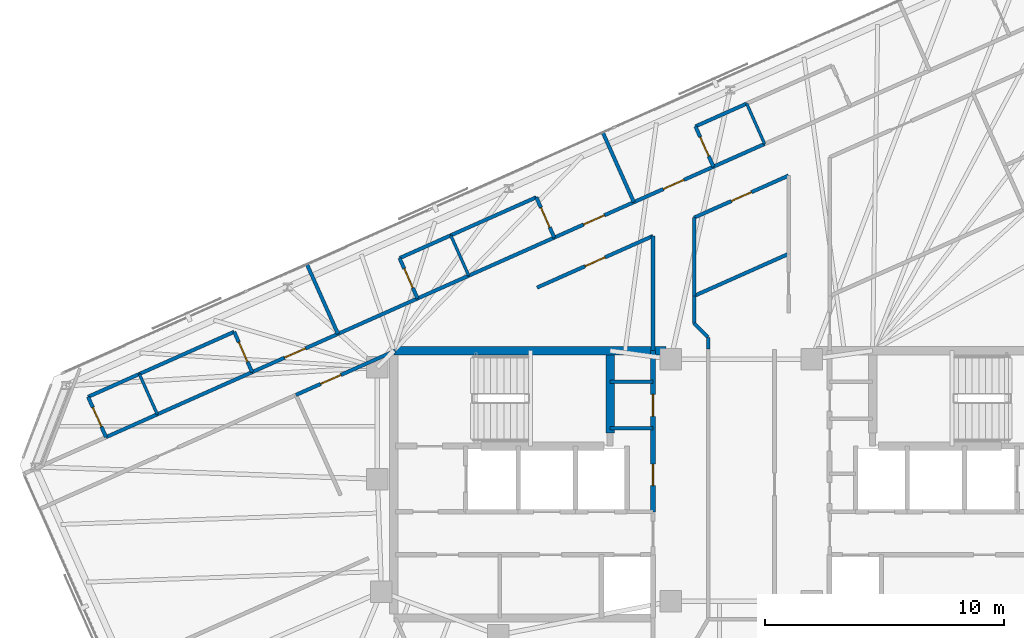
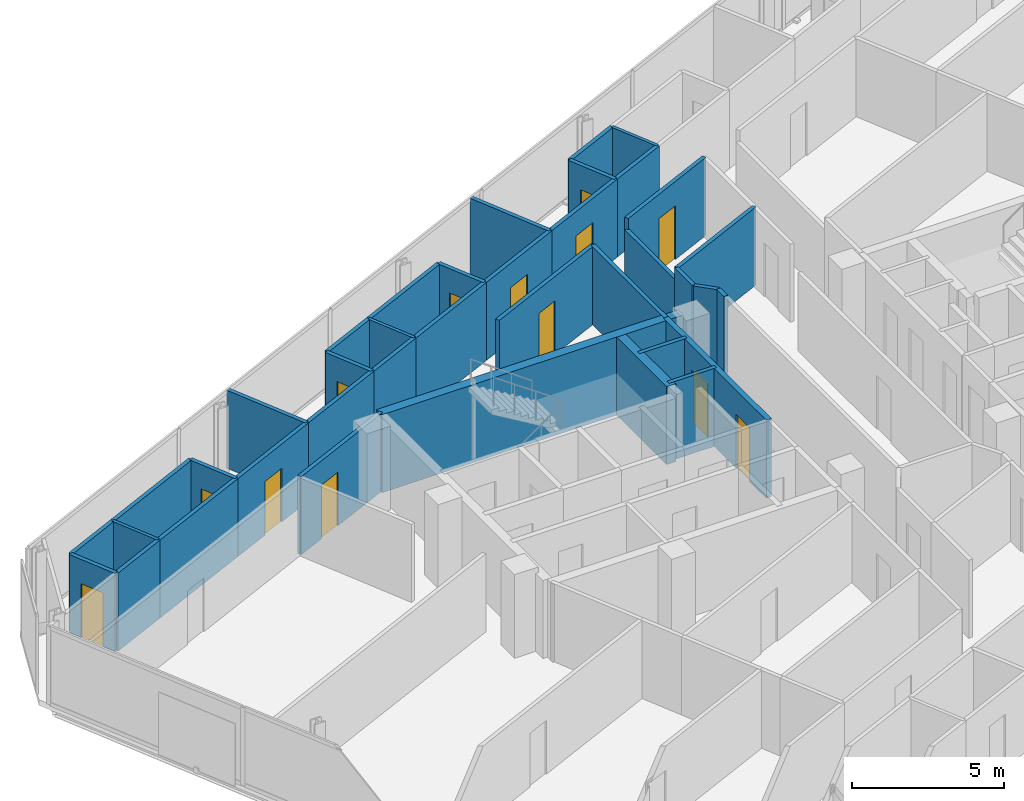
# One storey, part 16 of 19: 38 walls, 13 doors, 13 openings.
"""IFC4 building model written with IfcOpenShell, lengths in metres."""

import ifcopenshell
import ifcopenshell.guid

model = None  # the IFC model being written
_history = None  # IfcOwnerHistory: only IFC2X3 demands one
_inside = {}  # id of a spatial element -> (the spatial element, [elements in it])
_under = {}  # id of a project, library or spatial element -> (it, [spatial elements below it])
_declared = {}  # id of a project -> (the project, [libraries it declares])
_typed = {}  # id of a type object -> (the type object, [elements of that type])
_made_of = {}  # id of a material, layer set ... -> (it, [elements and type objects made of it])


def new_model(schema):
    """Start an empty IFC model of exactly this schema.

    Asked for "IFC4X3", IfcOpenShell would pick the latest addendum, in which some entities
    have other attributes; the version numbers below select the first issue.
    IFC2X3 requires an IfcOwnerHistory on every rooted entity: one is made here for all.
    """
    global model, _history
    if schema == "IFC4X3":
        model = ifcopenshell.file(schema_version=(4, 3, 0, 0))
    else:
        model = ifcopenshell.file(schema=schema)
    _inside.clear()
    _under.clear()
    _declared.clear()
    _typed.clear()
    _made_of.clear()
    _history = None
    if model.schema == "IFC2X3":
        org = make("IfcOrganization", Name="unknown")
        user = make(
            "IfcPersonAndOrganization",
            ThePerson=make("IfcPerson", FamilyName="unknown"),
            TheOrganization=org,
        )
        app = make(
            "IfcApplication",
            ApplicationDeveloper=org,
            Version="unknown",
            ApplicationFullName="unknown",
            ApplicationIdentifier="unknown",
        )
        _history = make(
            "IfcOwnerHistory",
            OwningUser=user,
            OwningApplication=app,
            ChangeAction="ADDED",
            CreationDate=0,
        )
    return model


def make(cls, **values):
    """One entity of the class cls with the attributes given. An attribute that is None is left unset."""
    return model.create_entity(
        cls, **{name: value for name, value in values.items() if value is not None}
    )


def rooted(cls, **values):
    """An entity with a GlobalId (a new one), such as an element, a storey or a relation."""
    return make(cls, GlobalId=ifcopenshell.guid.new(), OwnerHistory=_history, **values)


def si_unit(unit_type, name, prefix=None):
    """IfcSIUnit, for example si_unit("LENGTHUNIT", "METRE", prefix="MILLI")."""
    return make("IfcSIUnit", UnitType=unit_type, Prefix=prefix, Name=name)


def assignment(units):
    """IfcUnitAssignment: the units of a project."""
    return None if units is None else make("IfcUnitAssignment", Units=units)


def point(xyz):
    """IfcCartesianPoint."""
    return None if xyz is None else make("IfcCartesianPoint", Coordinates=xyz)


def direction(xyz):
    """IfcDirection."""
    return None if xyz is None else make("IfcDirection", DirectionRatios=xyz)


def frame(location, z_axis=None, x_axis=None):
    """IfcAxis2Placement3D, a coordinate frame: its origin and axes. An axis left out is left unset."""
    return make(
        "IfcAxis2Placement3D",
        Location=point(location),
        Axis=direction(z_axis),
        RefDirection=direction(x_axis),
    )


def frame_2d(location, x_axis=None):
    """IfcAxis2Placement2D, a coordinate frame in the plane: its origin and x axis."""
    return make(
        "IfcAxis2Placement2D", Location=point(location), RefDirection=direction(x_axis)
    )


def origin():
    """The frame at (0, 0, 0) with its axes left unset."""
    return frame((0.0, 0.0, 0.0))


def place(relative_to, where):
    """IfcLocalPlacement: puts the frame where relative to a parent placement (None: the world)."""
    return make(
        "IfcLocalPlacement", PlacementRelTo=relative_to, RelativePlacement=where
    )


def context(
    kind, dimensions, precision=None, world=None, true_north=None, identifier=None
):
    """IfcGeometricRepresentationContext, for example the 3D "Model" context."""
    return make(
        "IfcGeometricRepresentationContext",
        ContextIdentifier=identifier,
        ContextType=kind,
        CoordinateSpaceDimension=dimensions,
        Precision=precision,
        WorldCoordinateSystem=world,
        TrueNorth=true_north,
    )


def subcontext(parent, identifier, kind, view, scale=None):
    """IfcGeometricRepresentationSubContext, for example "Body" below "Model"."""
    return make(
        "IfcGeometricRepresentationSubContext",
        ContextIdentifier=identifier,
        ContextType=kind,
        ParentContext=parent,
        TargetScale=scale,
        TargetView=view,
    )


def project(units=None, contexts=None):
    """IfcProject with its units and contexts."""
    return rooted(
        "IfcProject",
        Name="project",
        RepresentationContexts=contexts,
        UnitsInContext=assignment(units),
    )


def spatial(cls, under=None, at=None, **own):
    """A site, building, storey or space (cls), placed at a placement, below another one or the project."""
    s = rooted(cls, ObjectPlacement=at, **own)
    if under is not None:
        _under.setdefault(under.id(), (under, []))[1].append(s)
    return s


def profile(cls, at=None, kind="AREA", **sizes):
    """A parametric profile (cls). Its sizes go by their IFC names, for example OverallWidth=200.0."""
    return make(cls, ProfileType=kind, Position=at, **sizes)


def rectangle(**sizes):
    """IfcRectangleProfileDef."""
    return profile("IfcRectangleProfileDef", **sizes)


def extrude(swept, where, along, depth):
    """IfcExtrudedAreaSolid: the profile swept, set in the frame where, extruded along a direction by depth."""
    return make(
        "IfcExtrudedAreaSolid",
        SweptArea=swept,
        Position=where,
        ExtrudedDirection=direction(along),
        Depth=depth,
    )


def shape(context_of_items, identifier, shape_type, items):
    """IfcShapeRepresentation: the items that make up one representation, for example the "Body"."""
    return make(
        "IfcShapeRepresentation",
        ContextOfItems=context_of_items,
        RepresentationIdentifier=identifier,
        RepresentationType=shape_type,
        Items=items,
    )


def material(Name=None, Category=None):
    """IfcMaterial."""
    return make("IfcMaterial", Name=Name, Category=Category)


def layer(
    of_material, thickness, ventilated=None, Name=None, Category=None, Priority=None
):
    """IfcMaterialLayer: one layer of a wall or slab, of a material (None: an air gap)."""
    return make(
        "IfcMaterialLayer",
        Material=of_material,
        LayerThickness=thickness,
        IsVentilated=ventilated,
        Name=Name,
        Category=Category,
        Priority=Priority,
    )


def layer_set(layers, Name=None):
    """IfcMaterialLayerSet."""
    return make("IfcMaterialLayerSet", MaterialLayers=layers, LayerSetName=Name)


def made_of(thing, what):
    """Note that an element or type object is made of a material, layer set ...; save() writes the relation."""
    if what is not None:
        _made_of.setdefault(what.id(), (what, []))[1].append(thing)
    return thing


def type_object(cls, material=None, **own):
    """A type object (cls), such as IfcWallType, which elements share."""
    return made_of(rooted(cls, **own), material)


def element(
    cls,
    number,
    at=None,
    inside=None,
    cuts=None,
    type_object=None,
    material=None,
    context=None,
    identifier="Body",
    shape_type=None,
    held_by="IfcProductDefinitionShape",
    body=None,
    shapes=None,
    **own,
):
    """One element of the class cls, such as IfcWall. Its Tag is "e" and its number.

    at: its placement. inside: the storey or other place that contains it. cuts: it is an
    opening in that element (IfcRelVoidsElement). A single representation is given by context,
    identifier, shape_type and body (its items); several are given by shapes. held_by: the class
    of the entity that holds the representations. save() writes the other relations.
    """
    e = rooted(cls, Tag="e%d" % number, ObjectPlacement=at, **own)
    if body is not None:
        shapes = [shape(context, identifier, shape_type, body)]
    if shapes is not None:
        e.Representation = make(held_by, Representations=shapes)
    if inside is not None:
        _inside.setdefault(inside.id(), (inside, []))[1].append(e)
    if cuts is not None:
        rooted(
            "IfcRelVoidsElement", RelatingBuildingElement=cuts, RelatedOpeningElement=e
        )
    if type_object is not None:
        _typed.setdefault(type_object.id(), (type_object, []))[1].append(e)
    return made_of(e, material)


def fill(opening, filler):
    """IfcRelFillsElement: the door or window that sits in an opening."""
    return rooted(
        "IfcRelFillsElement",
        RelatingOpeningElement=opening,
        RelatedBuildingElement=filler,
    )


def aggregate(whole, parts):
    """IfcRelAggregates: a whole, such as a stair, and the parts it consists of."""
    return rooted("IfcRelAggregates", RelatingObject=whole, RelatedObjects=parts)


def save(model, path):
    """Write the relations noted so far, then the file.

    IfcRelAggregates (storeys below a building ...), IfcRelContainedInSpatialStructure (elements
    in a storey), IfcRelDefinesByType, IfcRelAssociatesMaterial and IfcRelDeclares: one each for
    every whole, place, type object, material and project.
    """
    for whole, parts in _under.values():
        aggregate(whole, parts)
    for where, things in _inside.values():
        rooted(
            "IfcRelContainedInSpatialStructure",
            RelatedElements=things,
            RelatingStructure=where,
        )
    for kind, things in _typed.values():
        rooted("IfcRelDefinesByType", RelatedObjects=things, RelatingType=kind)
    for what, things in _made_of.values():
        rooted("IfcRelAssociatesMaterial", RelatedObjects=things, RelatingMaterial=what)
    for by, libraries in _declared.values():
        rooted("IfcRelDeclares", RelatingContext=by, RelatedDefinitions=libraries)
    model.write(path)


model = new_model("IFC4")

# Units and contexts
model_context = context("Model", 3, precision=1e-05, world=origin(), true_north=direction((0.0, 1.0)))
body_context = subcontext(model_context, "Body", "Model", "MODEL_VIEW")
ifc_project = project(units=[si_unit("LENGTHUNIT", "METRE"), si_unit("AREAUNIT", "SQUARE_METRE"), si_unit("VOLUMEUNIT", "CUBIC_METRE"), si_unit("PLANEANGLEUNIT", "RADIAN"), si_unit("MASSUNIT", "GRAM", prefix="KILO")], contexts=[model_context])

# Site, building, storey
site_placement = place(None, origin())
site = spatial("IfcSite", under=ifc_project, at=site_placement, CompositionType="ELEMENT")
building_placement = place(site_placement, origin())
building = spatial("IfcBuilding", under=site, at=building_placement, Name="Menara Jurai Vektor", CompositionType="ELEMENT")
storey_placement = place(building_placement, frame((0.0, 0.0, 265.550048828125)))
storey = spatial("IfcBuildingStorey", under=building, at=storey_placement, Name="L71", CompositionType="ELEMENT", Elevation=265.550048828125)

# Walls
ifc_material_1 = material(Name="Gypsum Fireboard Partition", Category="gypsum")
ifc_layer_1 = layer(ifc_material_1, 0.14990234375)
ifc_layer_set_1 = layer_set([ifc_layer_1], Name="Gypsum Fireboard Partition")
wall_type_1 = type_object("IfcWallType", Name="INT-WALL-CORR-150", PredefinedType="PARTITIONING", material=ifc_layer_set_1)
for number, where, z_axis, x_axis, name in (
    (1, (-5.5, 4.300048828125, 0.0), (0.0, 0.0, 1.0), (1.0, 0.0, 0.0), "Interior Wall IW-150 L71"),
    (2, (-5.5, 2.35009765625, 0.0), (0.0, 0.0, 1.0), (1.0, 0.0, 0.0), "Interior Wall IW-150 L71"),
):
    element("IfcWall", number, at=place(storey_placement, frame(where, z_axis=z_axis, x_axis=x_axis)), inside=storey, type_object=wall_type_1, Name=name, PredefinedType="PARTITIONING", context=body_context, shape_type="SweptSolid", body=[
        extrude(rectangle(XDim=1.800048828125, YDim=0.14990234375, at=frame_2d((0.89990234375, 0.0))), origin(), (0.0, 0.0, 1.0), 3.125),
    ])

# Wall, opening, door
wall_1_placement = place(storey_placement, frame((-20.49853515625, 4.702392578125, 0.0), z_axis=(0.0, 0.0, 1.0), x_axis=(0.913553019012, 0.406719659537, 0.0)))
wall_1 = element("IfcWall", 3, at=wall_1_placement, inside=storey, type_object=wall_type_1, Name="Interior Wall IW-150 L71", PredefinedType="PARTITIONING", context=body_context, shape_type="SweptSolid", body=[
    extrude(rectangle(XDim=3.93603515625, YDim=0.14990234375, at=frame_2d((1.968017578125, 0.0))), origin(), (0.0, 0.0, 1.0), 3.125),
])
opening_1_placement = place(wall_1_placement, frame((1.492919921875, 0.0, 0.0)))
opening_1 = element("IfcOpeningElement", 4, at=opening_1_placement, cuts=wall_1, Name="Opening D71-10", PredefinedType="OPENING", context=body_context, shape_type="SweptSolid", body=[
    extrude(rectangle(XDim=0.949951171875, YDim=2.14990234375, at=frame_2d((0.47509765625, 1.074951171875))), frame((0.0, 0.0849609375, 0.0), z_axis=(0.0, -1.0, 0.0), x_axis=(1.0, 0.0, 0.0)), (0.0, 0.0, 1.0), 0.169921875),
])
ifc_material_2 = material(Name="Solid Core Timber Fire Door", Category="wood")
door_type_1 = type_object("IfcDoorType", Name="DR-ENTRY-950", OperationType="NOTDEFINED", PredefinedType="DOOR", material=ifc_material_2)
door_1_placement = place(opening_1_placement, origin())
door_1 = element("IfcDoor", 5, at=door_1_placement, inside=storey, type_object=door_type_1, Name="Interior Door D71-10", OperationType="SINGLE_SWING_RIGHT", OverallHeight=2.14990234375, OverallWidth=0.949951171875, PredefinedType="DOOR", context=body_context, shape_type="SweptSolid", body=[
    extrude(rectangle(XDim=0.949951171875, YDim=2.14990234375, at=frame_2d((0.47509765625, 1.074951171875))), frame((0.0, 0.02490234375, 0.0), z_axis=(0.0, -1.0, 0.0), x_axis=(1.0, 0.0, 0.0)), (0.0, 0.0, 1.0), 0.050048828125),
])
fill(opening_1, door_1)

# Walls
wall_2_placement = place(storey_placement, frame((-26.619140625, 1.977294921875, 0.0), z_axis=(0.0, 0.0, 1.0), x_axis=(0.913541436194, 0.406745675276, 0.0)))
element("IfcWall", 6, at=wall_2_placement, inside=storey, type_object=wall_type_1, Name="Interior Wall IW-150 L71", PredefinedType="PARTITIONING", context=body_context, shape_type="SweptSolid", body=[
    extrude(rectangle(XDim=2.349853515625, YDim=0.14990234375, at=frame_2d((1.1748046875, 0.0))), origin(), (0.0, 0.0, 1.0), 3.125),
])
wall_3_placement = place(storey_placement, frame((-24.472412109375, 2.93310546875, 0.0), z_axis=(0.0, 0.0, 1.0), x_axis=(0.913545193015, 0.406737237438, 0.0)))
element("IfcWall", 7, at=wall_3_placement, inside=storey, type_object=wall_type_1, Name="Interior Wall IW-150 L71", PredefinedType="PARTITIONING", context=body_context, shape_type="SweptSolid", body=[
    extrude(rectangle(XDim=4.349853515625, YDim=0.14990234375, at=frame_2d((2.1748046875, 0.0))), origin(), (0.0, 0.0, 1.0), 3.125),
])
wall_4_placement = place(storey_placement, frame((-16.90283203125, 6.30322265625, 0.0), z_axis=(0.0, 0.0, 1.0), x_axis=(0.913543802, 0.40674036169, 0.0)))
element("IfcWall", 8, at=wall_4_placement, inside=storey, type_object=wall_type_1, Name="Interior Wall IW-150 L71", PredefinedType="PARTITIONING", context=body_context, shape_type="SweptSolid", body=[
    extrude(rectangle(XDim=3.650146484375, YDim=0.14990234375, at=frame_2d((1.8251953125, 0.0))), origin(), (0.0, 0.0, 1.0), 3.125),
])

# Wall, opening, door
wall_5_placement = place(storey_placement, frame((-7.838623046875, 10.3388671875, 0.0), z_axis=(0.0, 0.0, 1.0), x_axis=(0.913543802, 0.40674036169, 0.0)))
wall_5 = element("IfcWall", 9, at=wall_5_placement, inside=storey, type_object=wall_type_1, Name="Interior Wall IW-150 L71", PredefinedType="PARTITIONING", context=body_context, shape_type="SweptSolid", body=[
    extrude(rectangle(XDim=3.650146484375, YDim=0.14990234375, at=frame_2d((1.8251953125, 0.0))), origin(), (0.0, 0.0, 1.0), 3.125),
])
opening_2_placement = place(wall_5_placement, frame((1.35009765625, 0.0, 0.0)))
opening_2 = element("IfcOpeningElement", 10, at=opening_2_placement, cuts=wall_5, Name="Opening D71-13", PredefinedType="OPENING", context=body_context, shape_type="SweptSolid", body=[
    extrude(rectangle(XDim=0.949951171875, YDim=2.14990234375, at=frame_2d((0.47509765625, 1.074951171875))), frame((0.0, 0.0849609375, 0.0), z_axis=(0.0, -1.0, 0.0), x_axis=(1.0, 0.0, 0.0)), (0.0, 0.0, 1.0), 0.169921875),
])
door_2_placement = place(opening_2_placement, origin())
door_2 = element("IfcDoor", 11, at=door_2_placement, inside=storey, type_object=door_type_1, Name="Interior Door D71-13", OperationType="SINGLE_SWING_LEFT", OverallHeight=2.14990234375, OverallWidth=0.949951171875, PredefinedType="DOOR", context=body_context, shape_type="SweptSolid", body=[
    extrude(rectangle(XDim=0.949951171875, YDim=2.14990234375, at=frame_2d((0.47509765625, 1.074951171875))), frame((0.0, 0.02490234375, 0.0), z_axis=(0.0, -1.0, 0.0), x_axis=(1.0, 0.0, 0.0)), (0.0, 0.0, 1.0), 0.050048828125),
])
fill(opening_2, door_2)

# Walls
wall_6_placement = place(storey_placement, frame((-13.568359375, 7.787841796875, 0.0), z_axis=(0.0, 0.0, 1.0), x_axis=(0.913558622212, 0.406707073682, 0.0)))
element("IfcWall", 12, at=wall_6_placement, inside=storey, type_object=wall_type_1, Name="Interior Wall IW-150 L71", PredefinedType="PARTITIONING", context=body_context, shape_type="SweptSolid", body=[
    extrude(rectangle(XDim=2.35009765625, YDim=0.14990234375, at=frame_2d((1.175048828125, 0.0))), origin(), (0.0, 0.0, 1.0), 3.125),
])
wall_7_placement = place(storey_placement, frame((-11.42138671875, 8.74365234375, 0.0), z_axis=(0.0, 0.0, 1.0), x_axis=(0.913539234326, 0.406750620585, 0.0)))
element("IfcWall", 13, at=wall_7_placement, inside=storey, type_object=wall_type_1, Name="Interior Wall IW-150 L71", PredefinedType="PARTITIONING", context=body_context, shape_type="SweptSolid", body=[
    extrude(rectangle(XDim=3.921875, YDim=0.14990234375, at=frame_2d((1.9609375, 0.0))), origin(), (0.0, 0.0, 1.0), 3.125),
])

# Wall, opening, door
wall_8_placement = place(storey_placement, frame((-4.504150390625, 11.823486328125, 0.0), z_axis=(0.0, 0.0, 1.0), x_axis=(0.913543802, 0.40674036169, 0.0)))
wall_8 = element("IfcWall", 14, at=wall_8_placement, inside=storey, type_object=wall_type_1, Name="Interior Wall IW-150 L71", PredefinedType="PARTITIONING", context=body_context, shape_type="SweptSolid", body=[
    extrude(rectangle(XDim=3.650146484375, YDim=0.14990234375, at=frame_2d((1.8251953125, 0.0))), origin(), (0.0, 0.0, 1.0), 3.125),
])
opening_3_placement = place(wall_8_placement, frame((1.35009765625, 0.0, 0.0)))
opening_3 = element("IfcOpeningElement", 15, at=opening_3_placement, cuts=wall_8, Name="Opening D71-16", PredefinedType="OPENING", context=body_context, shape_type="SweptSolid", body=[
    extrude(rectangle(XDim=0.949951171875, YDim=2.14990234375, at=frame_2d((0.47509765625, 1.074951171875))), frame((0.0, 0.0849609375, 0.0), z_axis=(0.0, -1.0, 0.0), x_axis=(1.0, 0.0, 0.0)), (0.0, 0.0, 1.0), 0.169921875),
])
door_3_placement = place(opening_3_placement, origin())
door_3 = element("IfcDoor", 16, at=door_3_placement, inside=storey, type_object=door_type_1, Name="Interior Door D71-16", OperationType="SINGLE_SWING_RIGHT", OverallHeight=2.14990234375, OverallWidth=0.949951171875, PredefinedType="DOOR", context=body_context, shape_type="SweptSolid", body=[
    extrude(rectangle(XDim=0.949951171875, YDim=2.14990234375, at=frame_2d((0.47509765625, 1.074951171875))), frame((0.0, 0.02490234375, 0.0), z_axis=(0.0, -1.0, 0.0), x_axis=(1.0, 0.0, 0.0)), (0.0, 0.0, 1.0), 0.050048828125),
])
fill(opening_3, door_3)

# Wall
wall_9_placement = place(storey_placement, frame((-1.169677734375, 13.30810546875, 0.0), z_axis=(0.0, 0.0, 1.0), x_axis=(0.913541436194, 0.406745675276, 0.0)))
element("IfcWall", 17, at=wall_9_placement, inside=storey, type_object=wall_type_1, Name="Interior Wall IW-150 L71", PredefinedType="PARTITIONING", context=body_context, shape_type="SweptSolid", body=[
    extrude(rectangle(XDim=2.349853515625, YDim=0.14990234375, at=frame_2d((1.1748046875, 0.0))), origin(), (0.0, 0.0, 1.0), 3.125),
])

# Wall, opening, door
wall_10_placement = place(storey_placement, frame((-18.6611328125, 3.7470703125, 0.0), z_axis=(0.0, 0.0, 1.0), x_axis=(0.913535055583, 0.40676000568, 0.0)))
wall_10 = element("IfcWall", 18, at=wall_10_placement, inside=storey, type_object=wall_type_1, Name="Interior Wall IW-150 L71", PredefinedType="PARTITIONING", context=body_context, shape_type="SweptSolid", body=[
    extrude(rectangle(XDim=4.554931640625, YDim=0.14990234375, at=frame_2d((2.27734375, 0.0))), origin(), (0.0, 0.0, 1.0), 3.125),
])
opening_4_placement = place(wall_10_placement, frame((1.13427734375, 0.0, 0.0)))
opening_4 = element("IfcOpeningElement", 19, at=opening_4_placement, cuts=wall_10, Name="Opening D71-46", PredefinedType="OPENING", context=body_context, shape_type="SweptSolid", body=[
    extrude(rectangle(XDim=0.919921875, YDim=2.14990234375, at=frame_2d((0.4599609375, 1.074951171875))), frame((0.0, 0.0849609375, 0.0), z_axis=(0.0, -1.0, 0.0), x_axis=(1.0, 0.0, 0.0)), (0.0, 0.0, 1.0), 0.169921875),
])
door_4_placement = place(opening_4_placement, origin())
door_4 = element("IfcDoor", 20, at=door_4_placement, inside=storey, type_object=door_type_1, Name="Interior Door D71-46", OperationType="SINGLE_SWING_RIGHT", OverallHeight=2.14990234375, OverallWidth=0.919921875, PredefinedType="DOOR", context=body_context, shape_type="SweptSolid", body=[
    extrude(rectangle(XDim=0.919921875, YDim=2.14990234375, at=frame_2d((0.4599609375, 1.074951171875))), frame((0.0, 0.02490234375, 0.0), z_axis=(0.0, -1.0, 0.0), x_axis=(1.0, 0.0, 0.0)), (0.0, 0.0, 1.0), 0.050048828125),
])
fill(opening_4, door_4)

# Walls
wall_11_placement = place(storey_placement, frame((-1.979736328125, 6.74853515625, 0.0), z_axis=(0.0, 0.0, 1.0), x_axis=(0.706520457458, -0.707692619146, 0.0)))
element("IfcWall", 21, at=wall_11_placement, inside=storey, type_object=wall_type_1, Name="Interior Wall IW-150 L71", PredefinedType="PARTITIONING", context=body_context, shape_type="SweptSolid", body=[
    extrude(rectangle(XDim=0.8330078125, YDim=0.14990234375, at=frame_2d((0.41650390625, 0.0))), origin(), (0.0, 0.0, 1.0), 3.125),
])
wall_12_placement = place(storey_placement, frame((-1.979736328125, 6.74853515625, 0.0), z_axis=(0.0, 0.0, 1.0), x_axis=(0.0, 1.0, 0.0)))
element("IfcWall", 22, at=wall_12_placement, inside=storey, type_object=wall_type_1, Name="Interior Wall IW-150 L71", PredefinedType="PARTITIONING", context=body_context, shape_type="SweptSolid", body=[
    extrude(rectangle(XDim=1.14599609375, YDim=0.14990234375, at=frame_2d((0.572998046875, 0.0))), origin(), (0.0, 0.0, 1.0), 3.125),
])
wall_13_placement = place(storey_placement, frame((-1.39111328125, 5.6796875, 0.0), z_axis=(0.0, 0.0, 1.0), x_axis=(0.0, 1.0, 0.0)))
element("IfcWall", 23, at=wall_13_placement, inside=storey, type_object=wall_type_1, Name="Interior Wall IW-150 L71", PredefinedType="PARTITIONING", context=body_context, shape_type="SweptSolid", body=[
    extrude(rectangle(XDim=0.479248046875, YDim=0.14990234375, at=frame_2d((0.23974609375, 0.0))), origin(), (0.0, 0.0, 1.0), 3.125),
])

# Wall, opening, door
wall_14_placement = place(storey_placement, frame((-1.979736328125, 11.174072265625, 0.0), z_axis=(0.0, 0.0, 1.0), x_axis=(0.913546598225, 0.406734081276, 0.0)))
wall_14 = element("IfcWall", 24, at=wall_14_placement, inside=storey, type_object=wall_type_1, Name="Interior Wall IW-150 L71", PredefinedType="PARTITIONING", context=body_context, shape_type="SweptSolid", body=[
    extrude(rectangle(XDim=4.3349609375, YDim=0.14990234375, at=frame_2d((2.16748046875, 0.0))), origin(), (0.0, 0.0, 1.0), 3.125),
])
opening_5_placement = place(wall_14_placement, frame((1.70751953125, 0.0, 0.0)))
opening_5 = element("IfcOpeningElement", 25, at=opening_5_placement, cuts=wall_14, Name="Opening D71-48", PredefinedType="OPENING", context=body_context, shape_type="SweptSolid", body=[
    extrude(rectangle(XDim=0.919921875, YDim=2.14990234375, at=frame_2d((0.4599609375, 1.074951171875))), frame((0.0, 0.0849609375, 0.0), z_axis=(0.0, -1.0, 0.0), x_axis=(1.0, 0.0, 0.0)), (0.0, 0.0, 1.0), 0.169921875),
])
door_5_placement = place(opening_5_placement, origin())
door_5 = element("IfcDoor", 26, at=door_5_placement, inside=storey, type_object=door_type_1, Name="Interior Door D71-48", OperationType="SINGLE_SWING_RIGHT", OverallHeight=2.14990234375, OverallWidth=0.919921875, PredefinedType="DOOR", context=body_context, shape_type="SweptSolid", body=[
    extrude(rectangle(XDim=0.919921875, YDim=2.14990234375, at=frame_2d((0.4599609375, 1.074951171875))), frame((0.0, 0.02490234375, 0.0), z_axis=(0.0, -1.0, 0.0), x_axis=(1.0, 0.0, 0.0)), (0.0, 0.0, 1.0), 0.050048828125),
])
fill(opening_5, door_5)

wall_15_placement = place(storey_placement, frame((-8.56005859375, 8.244384765625, 0.0), z_axis=(0.0, 0.0, 1.0), x_axis=(0.91354831274, 0.406730230362, 0.0)))
wall_15 = element("IfcWall", 27, at=wall_15_placement, inside=storey, type_object=wall_type_1, Name="Interior Wall IW-150 L71", PredefinedType="PARTITIONING", context=body_context, shape_type="SweptSolid", body=[
    extrude(rectangle(XDim=5.320068359375, YDim=0.14990234375, at=frame_2d((2.66015625, 0.0))), origin(), (0.0, 0.0, 1.0), 3.125),
])
opening_6_placement = place(wall_15_placement, frame((2.199951171875, 0.0, 0.0)))
opening_6 = element("IfcOpeningElement", 28, at=opening_6_placement, cuts=wall_15, Name="Opening D71-49", PredefinedType="OPENING", context=body_context, shape_type="SweptSolid", body=[
    extrude(rectangle(XDim=0.919921875, YDim=2.14990234375, at=frame_2d((0.4599609375, 1.074951171875))), frame((0.0, 0.0849609375, 0.0), z_axis=(0.0, -1.0, 0.0), x_axis=(1.0, 0.0, 0.0)), (0.0, 0.0, 1.0), 0.169921875),
])
door_6_placement = place(opening_6_placement, origin())
door_6 = element("IfcDoor", 29, at=door_6_placement, inside=storey, type_object=door_type_1, Name="Interior Door D71-49", OperationType="SINGLE_SWING_LEFT", OverallHeight=2.14990234375, OverallWidth=0.919921875, PredefinedType="DOOR", context=body_context, shape_type="SweptSolid", body=[
    extrude(rectangle(XDim=0.919921875, YDim=2.14990234375, at=frame_2d((0.4599609375, 1.074951171875))), frame((0.0, 0.02490234375, 0.0), z_axis=(0.0, -1.0, 0.0), x_axis=(1.0, 0.0, 0.0)), (0.0, 0.0, 1.0), 0.050048828125),
])
fill(opening_6, door_6)

# Wall
wall_16_placement = place(storey_placement, frame((-3.7001953125, 5.599609375, 0.0), z_axis=(0.0, 0.0, 1.0), x_axis=(5.077173e-05, 0.999999998711, 0.0)))
element("IfcWall", 30, at=wall_16_placement, inside=storey, type_object=wall_type_1, Name="Interior Wall IW-150 L71", PredefinedType="PARTITIONING", context=body_context, shape_type="SweptSolid", body=[
    extrude(rectangle(XDim=4.80859375, YDim=0.14990234375, at=frame_2d((2.404296875, 0.0))), origin(), (0.0, 0.0, 1.0), 3.125),
])

# Wall, opening, door
wall_17_placement = place(storey_placement, frame((-26.619140625, 1.977294921875, 0.0), z_axis=(0.0, 0.0, 1.0), x_axis=(-0.406750635596, 0.913539227643, 0.0)))
wall_17 = element("IfcWall", 31, at=wall_17_placement, inside=storey, type_object=wall_type_1, Name="Interior Wall IW-150 L71", PredefinedType="PARTITIONING", context=body_context, shape_type="SweptSolid", body=[
    extrude(rectangle(XDim=1.849853515625, YDim=0.14990234375, at=frame_2d((0.9248046875, 0.0))), origin(), (0.0, 0.0, 1.0), 3.125),
])
opening_7_placement = place(wall_17_placement, frame((0.485107421875, 0.0, 0.0)))
opening_7 = element("IfcOpeningElement", 32, at=opening_7_placement, cuts=wall_17, Name="Opening D71-11", PredefinedType="OPENING", context=body_context, shape_type="SweptSolid", body=[
    extrude(rectangle(XDim=0.8798828125, YDim=2.14990234375, at=frame_2d((0.43994140625, 1.074951171875))), frame((0.0, 0.0849609375, 0.0), z_axis=(0.0, -1.0, 0.0), x_axis=(1.0, 0.0, 0.0)), (0.0, 0.0, 1.0), 0.169921875),
])
ifc_material_3 = material(Name="Moisture-Resistant Timber Door", Category="wood")
door_type_2 = type_object("IfcDoorType", Name="DR-BATH-880", OperationType="NOTDEFINED", PredefinedType="DOOR", material=ifc_material_3)
door_7_placement = place(opening_7_placement, origin())
door_7 = element("IfcDoor", 33, at=door_7_placement, inside=storey, type_object=door_type_2, Name="Interior Door D71-11", OperationType="SINGLE_SWING_LEFT", OverallHeight=2.14990234375, OverallWidth=0.8798828125, PredefinedType="DOOR", context=body_context, shape_type="SweptSolid", body=[
    extrude(rectangle(XDim=0.8798828125, YDim=2.14990234375, at=frame_2d((0.43994140625, 1.074951171875))), frame((0.0, 0.02490234375, 0.0), z_axis=(0.0, -1.0, 0.0), x_axis=(1.0, 0.0, 0.0)), (0.0, 0.0, 1.0), 0.050048828125),
])
fill(opening_7, door_7)

# Walls
wall_18_placement = place(storey_placement, frame((-27.37158203125, 3.667236328125, 0.0), z_axis=(0.0, 0.0, 1.0), x_axis=(0.913541436194, 0.406745675276, 0.0)))
element("IfcWall", 34, at=wall_18_placement, inside=storey, type_object=wall_type_1, Name="Interior Wall IW-150 L71", PredefinedType="PARTITIONING", context=body_context, shape_type="SweptSolid", body=[
    extrude(rectangle(XDim=2.349853515625, YDim=0.14990234375, at=frame_2d((1.1748046875, 0.0))), origin(), (0.0, 0.0, 1.0), 3.125),
])
wall_19_placement = place(storey_placement, frame((-25.224853515625, 4.623046875, 0.0), z_axis=(0.0, 0.0, 1.0), x_axis=(0.913545193015, 0.406737237438, 0.0)))
element("IfcWall", 35, at=wall_19_placement, inside=storey, type_object=wall_type_1, Name="Interior Wall IW-150 L71", PredefinedType="PARTITIONING", context=body_context, shape_type="SweptSolid", body=[
    extrude(rectangle(XDim=4.349853515625, YDim=0.14990234375, at=frame_2d((2.1748046875, 0.0))), origin(), (0.0, 0.0, 1.0), 3.125),
])

# Wall, opening, door
wall_20_placement = place(storey_placement, frame((-20.49853515625, 4.702392578125, 0.0), z_axis=(0.0, 0.0, 1.0), x_axis=(-0.406750635596, 0.913539227643, 0.0)))
wall_20 = element("IfcWall", 36, at=wall_20_placement, inside=storey, type_object=wall_type_1, Name="Interior Wall IW-150 L71", PredefinedType="PARTITIONING", context=body_context, shape_type="SweptSolid", body=[
    extrude(rectangle(XDim=1.849853515625, YDim=0.14990234375, at=frame_2d((0.9248046875, 0.0))), origin(), (0.0, 0.0, 1.0), 3.125),
])
opening_8_placement = place(wall_20_placement, frame((0.47509765625, 0.0, 0.0)))
opening_8 = element("IfcOpeningElement", 37, at=opening_8_placement, cuts=wall_20, Name="Opening D71-12", PredefinedType="OPENING", context=body_context, shape_type="SweptSolid", body=[
    extrude(rectangle(XDim=0.89990234375, YDim=2.14990234375, at=frame_2d((0.449951171875, 1.074951171875))), frame((0.0, 0.0849609375, 0.0), z_axis=(0.0, -1.0, 0.0), x_axis=(1.0, 0.0, 0.0)), (0.0, 0.0, 1.0), 0.169921875),
])
ifc_material_4 = material(Name="Acoustic Timber Interior Door", Category="wood")
door_type_3 = type_object("IfcDoorType", Name="DR-ROOM-900", OperationType="NOTDEFINED", PredefinedType="DOOR", material=ifc_material_4)
door_8_placement = place(opening_8_placement, origin())
door_8 = element("IfcDoor", 38, at=door_8_placement, inside=storey, type_object=door_type_3, Name="Interior Door D71-12", OperationType="SINGLE_SWING_RIGHT", OverallHeight=2.14990234375, OverallWidth=0.89990234375, PredefinedType="DOOR", context=body_context, shape_type="SweptSolid", body=[
    extrude(rectangle(XDim=0.89990234375, YDim=2.14990234375, at=frame_2d((0.449951171875, 1.074951171875))), frame((0.0, 0.02490234375, 0.0), z_axis=(0.0, -1.0, 0.0), x_axis=(1.0, 0.0, 0.0)), (0.0, 0.0, 1.0), 0.050048828125),
])
fill(opening_8, door_8)

# Wall
wall_21_placement = place(storey_placement, frame((-16.90283203125, 6.30322265625, 0.0), z_axis=(0.0, 0.0, 1.0), x_axis=(-0.406733350739, 0.913546923478, 0.0)))
element("IfcWall", 39, at=wall_21_placement, inside=storey, type_object=wall_type_1, Name="Interior Wall IW-150 L71", PredefinedType="PARTITIONING", context=body_context, shape_type="SweptSolid", body=[
    extrude(rectangle(XDim=3.197998046875, YDim=0.14990234375, at=frame_2d((1.59912109375, 0.0))), origin(), (0.0, 0.0, 1.0), 3.125),
])

# Wall, opening, door
wall_22_placement = place(storey_placement, frame((-13.568359375, 7.787841796875, 0.0), z_axis=(0.0, 0.0, 1.0), x_axis=(-0.406750635596, 0.913539227643, 0.0)))
wall_22 = element("IfcWall", 40, at=wall_22_placement, inside=storey, type_object=wall_type_1, Name="Interior Wall IW-150 L71", PredefinedType="PARTITIONING", context=body_context, shape_type="SweptSolid", body=[
    extrude(rectangle(XDim=1.849853515625, YDim=0.14990234375, at=frame_2d((0.9248046875, 0.0))), origin(), (0.0, 0.0, 1.0), 3.125),
])
opening_9_placement = place(wall_22_placement, frame((0.485107421875, 0.0, 0.0)))
opening_9 = element("IfcOpeningElement", 41, at=opening_9_placement, cuts=wall_22, Name="Opening D71-14", PredefinedType="OPENING", context=body_context, shape_type="SweptSolid", body=[
    extrude(rectangle(XDim=0.8798828125, YDim=2.14990234375, at=frame_2d((0.43994140625, 1.074951171875))), frame((0.0, 0.0849609375, 0.0), z_axis=(0.0, -1.0, 0.0), x_axis=(1.0, 0.0, 0.0)), (0.0, 0.0, 1.0), 0.169921875),
])
door_9_placement = place(opening_9_placement, origin())
door_9 = element("IfcDoor", 42, at=door_9_placement, inside=storey, type_object=door_type_2, Name="Interior Door D71-14", OperationType="SINGLE_SWING_RIGHT", OverallHeight=2.14990234375, OverallWidth=0.8798828125, PredefinedType="DOOR", context=body_context, shape_type="SweptSolid", body=[
    extrude(rectangle(XDim=0.8798828125, YDim=2.14990234375, at=frame_2d((0.43994140625, 1.074951171875))), frame((0.0, 0.02490234375, 0.0), z_axis=(0.0, -1.0, 0.0), x_axis=(1.0, 0.0, 0.0)), (0.0, 0.0, 1.0), 0.050048828125),
])
fill(opening_9, door_9)

# Walls
wall_23_placement = place(storey_placement, frame((-14.32080078125, 9.477783203125, 0.0), z_axis=(0.0, 0.0, 1.0), x_axis=(0.913502828817, 0.406832375486, 0.0)))
element("IfcWall", 43, at=wall_23_placement, inside=storey, type_object=wall_type_1, Name="Interior Wall IW-150 L71", PredefinedType="PARTITIONING", context=body_context, shape_type="SweptSolid", body=[
    extrude(rectangle(XDim=2.35009765625, YDim=0.14990234375, at=frame_2d((1.175048828125, 0.0))), origin(), (0.0, 0.0, 1.0), 3.125),
])
wall_24_placement = place(storey_placement, frame((-12.174072265625, 10.433837890625, 0.0), z_axis=(0.0, 0.0, 1.0), x_axis=(0.913549532696, 0.406727490232, 0.0)))
element("IfcWall", 44, at=wall_24_placement, inside=storey, type_object=wall_type_1, Name="Interior Wall IW-150 L71", PredefinedType="PARTITIONING", context=body_context, shape_type="SweptSolid", body=[
    extrude(rectangle(XDim=3.922119140625, YDim=0.14990234375, at=frame_2d((1.9609375, 0.0))), origin(), (0.0, 0.0, 1.0), 3.125),
])

# Wall, opening, door
wall_25_placement = place(storey_placement, frame((-7.838623046875, 10.3388671875, 0.0), z_axis=(0.0, 0.0, 1.0), x_axis=(-0.406701600856, 0.913561058639, 0.0)))
wall_25 = element("IfcWall", 45, at=wall_25_placement, inside=storey, type_object=wall_type_1, Name="Interior Wall IW-150 L71", PredefinedType="PARTITIONING", context=body_context, shape_type="SweptSolid", body=[
    extrude(rectangle(XDim=1.85009765625, YDim=0.14990234375, at=frame_2d((0.925048828125, 0.0))), origin(), (0.0, 0.0, 1.0), 3.125),
])
opening_10_placement = place(wall_25_placement, frame((0.47509765625, 0.0, 0.0)))
opening_10 = element("IfcOpeningElement", 46, at=opening_10_placement, cuts=wall_25, Name="Opening D71-15", PredefinedType="OPENING", context=body_context, shape_type="SweptSolid", body=[
    extrude(rectangle(XDim=0.89990234375, YDim=2.14990234375, at=frame_2d((0.449951171875, 1.074951171875))), frame((0.0, 0.0849609375, 0.0), z_axis=(0.0, -1.0, 0.0), x_axis=(1.0, 0.0, 0.0)), (0.0, 0.0, 1.0), 0.169921875),
])
door_10_placement = place(opening_10_placement, origin())
door_10 = element("IfcDoor", 47, at=door_10_placement, inside=storey, type_object=door_type_3, Name="Interior Door D71-15", OperationType="SINGLE_SWING_LEFT", OverallHeight=2.14990234375, OverallWidth=0.89990234375, PredefinedType="DOOR", context=body_context, shape_type="SweptSolid", body=[
    extrude(rectangle(XDim=0.89990234375, YDim=2.14990234375, at=frame_2d((0.449951171875, 1.074951171875))), frame((0.0, 0.02490234375, 0.0), z_axis=(0.0, -1.0, 0.0), x_axis=(1.0, 0.0, 0.0)), (0.0, 0.0, 1.0), 0.050048828125),
])
fill(opening_10, door_10)

# Wall
wall_26_placement = place(storey_placement, frame((-4.504150390625, 11.823486328125, 0.0), z_axis=(0.0, 0.0, 1.0), x_axis=(-0.406733350739, 0.913546923478, 0.0)))
element("IfcWall", 48, at=wall_26_placement, inside=storey, type_object=wall_type_1, Name="Interior Wall IW-150 L71", PredefinedType="PARTITIONING", context=body_context, shape_type="SweptSolid", body=[
    extrude(rectangle(XDim=3.197998046875, YDim=0.14990234375, at=frame_2d((1.59912109375, 0.0))), origin(), (0.0, 0.0, 1.0), 3.125),
])

# Wall, opening, door
wall_27_placement = place(storey_placement, frame((-1.169677734375, 13.30810546875, 0.0), z_axis=(0.0, 0.0, 1.0), x_axis=(-0.406701600856, 0.913561058639, 0.0)))
wall_27 = element("IfcWall", 49, at=wall_27_placement, inside=storey, type_object=wall_type_1, Name="Interior Wall IW-150 L71", PredefinedType="PARTITIONING", context=body_context, shape_type="SweptSolid", body=[
    extrude(rectangle(XDim=1.85009765625, YDim=0.14990234375, at=frame_2d((0.925048828125, 0.0))), origin(), (0.0, 0.0, 1.0), 3.125),
])
opening_11_placement = place(wall_27_placement, frame((0.485107421875, 0.0, 0.0)))
opening_11 = element("IfcOpeningElement", 50, at=opening_11_placement, cuts=wall_27, Name="Opening D71-17", PredefinedType="OPENING", context=body_context, shape_type="SweptSolid", body=[
    extrude(rectangle(XDim=0.8798828125, YDim=2.14990234375, at=frame_2d((0.43994140625, 1.074951171875))), frame((0.0, 0.0849609375, 0.0), z_axis=(0.0, -1.0, 0.0), x_axis=(1.0, 0.0, 0.0)), (0.0, 0.0, 1.0), 0.169921875),
])
door_11_placement = place(opening_11_placement, origin())
door_11 = element("IfcDoor", 51, at=door_11_placement, inside=storey, type_object=door_type_2, Name="Interior Door D71-17", OperationType="SINGLE_SWING_LEFT", OverallHeight=2.14990234375, OverallWidth=0.8798828125, PredefinedType="DOOR", context=body_context, shape_type="SweptSolid", body=[
    extrude(rectangle(XDim=0.8798828125, YDim=2.14990234375, at=frame_2d((0.43994140625, 1.074951171875))), frame((0.0, 0.02490234375, 0.0), z_axis=(0.0, -1.0, 0.0), x_axis=(1.0, 0.0, 0.0)), (0.0, 0.0, 1.0), 0.050048828125),
])
fill(opening_11, door_11)

# Walls
wall_28_placement = place(storey_placement, frame((-1.922119140625, 14.998291015625, 0.0), z_axis=(0.0, 0.0, 1.0), x_axis=(0.913541436194, 0.406745675276, 0.0)))
element("IfcWall", 52, at=wall_28_placement, inside=storey, type_object=wall_type_1, Name="Interior Wall IW-150 L71", PredefinedType="PARTITIONING", context=body_context, shape_type="SweptSolid", body=[
    extrude(rectangle(XDim=2.349853515625, YDim=0.14990234375, at=frame_2d((1.1748046875, 0.0))), origin(), (0.0, 0.0, 1.0), 3.125),
])
wall_29_placement = place(storey_placement, frame((-1.979736328125, 7.89453125, 0.0), z_axis=(0.0, 0.0, 1.0), x_axis=(0.913546598225, 0.406734081276, 0.0)))
element("IfcWall", 53, at=wall_29_placement, inside=storey, type_object=wall_type_1, Name="Interior Wall IW-150 L71", PredefinedType="PARTITIONING", context=body_context, shape_type="SweptSolid", body=[
    extrude(rectangle(XDim=4.3349609375, YDim=0.14990234375, at=frame_2d((2.16748046875, 0.0))), origin(), (0.0, 0.0, 1.0), 3.125),
])
ifc_layer_2 = layer(ifc_material_1, 0.14990234375)
ifc_layer_set_2 = layer_set([ifc_layer_2], Name="Gypsum Fireboard Partition")
wall_type_2 = type_object("IfcWallType", Name="INT-WALL-CORR-150-H1", PredefinedType="PARTITIONING", material=ifc_layer_set_2)
wall_30_placement = place(storey_placement, frame((-1.979736328125, 7.89453125, 0.0), z_axis=(0.0, 0.0, 1.0), x_axis=(0.0, 1.0, 0.0)))
element("IfcWall", 54, at=wall_30_placement, inside=storey, type_object=wall_type_2, Name="Interior Wall IW-150 L71", PredefinedType="PARTITIONING", context=body_context, shape_type="SweptSolid", body=[
    extrude(rectangle(XDim=3.279541015625, YDim=0.14990234375, at=frame_2d((1.6396484375, 0.0))), origin(), (0.0, 0.0, 1.0), 2.675048828125),
])
ifc_material_5 = material(Name="Gypsum Acoustic Stud Partition", Category="gypsum")
ifc_layer_3 = layer(ifc_material_5, 0.1201171875)
ifc_layer_set_3 = layer_set([ifc_layer_3], Name="Gypsum Acoustic Stud Partition")
wall_type_3 = type_object("IfcWallType", Name="INT-WALL-PART-120", PredefinedType="PARTITIONING", material=ifc_layer_set_3)
wall_31_placement = place(storey_placement, frame((-24.472412109375, 2.93310546875, 0.0), z_axis=(0.0, 0.0, 1.0), x_axis=(-0.406750635596, 0.913539227643, 0.0)))
element("IfcWall", 55, at=wall_31_placement, inside=storey, type_object=wall_type_3, Name="Interior Wall IW-120 L71", PredefinedType="PARTITIONING", context=body_context, shape_type="SweptSolid", body=[
    extrude(rectangle(XDim=1.849853515625, YDim=0.1201171875, at=frame_2d((0.9248046875, 0.0))), origin(), (0.0, 0.0, 1.0), 3.125),
])
for number, where, z_axis, x_axis, name in (
    (56, (-11.42138671875, 8.74365234375, 0.0), (0.0, 0.0, 1.0), (-0.406811725227, 0.913512025218, 0.0), "Interior Wall IW-120 L71"),
    (57, (0.97705078125, 14.263916015625, 0.0), (0.0, 0.0, 1.0), (-0.406701600856, 0.913561058639, 0.0), "Interior Wall IW-120 L71"),
):
    element("IfcWall", number, at=place(storey_placement, frame(where, z_axis=z_axis, x_axis=x_axis)), inside=storey, type_object=wall_type_3, Name=name, PredefinedType="PARTITIONING", context=body_context, shape_type="SweptSolid", body=[
        extrude(rectangle(XDim=1.85009765625, YDim=0.1201171875, at=frame_2d((0.925048828125, 0.0))), origin(), (0.0, 0.0, 1.0), 3.125),
    ])

# Wall, openings, doors
ifc_material_6 = material(Name="Concrete C40/50", Category="concrete")
ifc_layer_4 = layer(ifc_material_6, 0.199951171875)
ifc_layer_set_4 = layer_set([ifc_layer_4], Name="Concrete C40/50")
wall_type_4 = type_object("IfcWallType", Name="INT-WALL-SHAFT-200", PredefinedType="STANDARD", material=ifc_layer_set_4)
wall_32_placement = place(storey_placement, frame((-3.699951171875, -1.14990234375, 0.0), z_axis=(0.0, 0.0, 1.0), x_axis=(0.0, 1.0, 0.0)))
wall_32 = element("IfcWall", 58, at=wall_32_placement, inside=storey, type_object=wall_type_4, Name="Interior Wall IW-200 L71", PredefinedType="STANDARD", context=body_context, shape_type="SweptSolid", body=[
    extrude(rectangle(XDim=6.75, YDim=0.199951171875, at=frame_2d((3.375, 0.0))), origin(), (0.0, 0.0, 1.0), 3.125),
])
opening_12_placement = place(wall_32_placement, frame((1.10009765625, 0.0, 0.0)))
opening_12 = element("IfcOpeningElement", 59, at=opening_12_placement, cuts=wall_32, Name="Opening D71-03", PredefinedType="OPENING", context=body_context, shape_type="SweptSolid", body=[
    extrude(rectangle(XDim=0.89990234375, YDim=2.14990234375, at=frame_2d((0.449951171875, 1.074951171875))), frame((0.0, 0.10986328125, 0.0), z_axis=(0.0, -1.0, 0.0), x_axis=(1.0, 0.0, 0.0)), (0.0, 0.0, 1.0), 0.219970703125),
])
opening_13_placement = place(wall_32_placement, frame((4.0, 0.0, 0.0)))
opening_13 = element("IfcOpeningElement", 60, at=opening_13_placement, cuts=wall_32, Name="Opening D71-04", PredefinedType="OPENING", context=body_context, shape_type="SweptSolid", body=[
    extrude(rectangle(XDim=0.919921875, YDim=2.14990234375, at=frame_2d((0.4599609375, 1.074951171875))), frame((0.0, 0.10986328125, 0.0), z_axis=(0.0, -1.0, 0.0), x_axis=(1.0, 0.0, 0.0)), (0.0, 0.0, 1.0), 0.219970703125),
])
door_12_placement = place(opening_12_placement, origin())
door_12 = element("IfcDoor", 61, at=door_12_placement, inside=storey, type_object=door_type_1, Name="Interior Door D71-03", OperationType="SINGLE_SWING_LEFT", OverallHeight=2.14990234375, OverallWidth=0.89990234375, PredefinedType="DOOR", context=body_context, shape_type="SweptSolid", body=[
    extrude(rectangle(XDim=0.89990234375, YDim=2.14990234375, at=frame_2d((0.449951171875, 1.074951171875))), frame((0.0, 0.02490234375, 0.0), z_axis=(0.0, -1.0, 0.0), x_axis=(1.0, 0.0, 0.0)), (0.0, 0.0, 1.0), 0.050048828125),
])
fill(opening_12, door_12)
door_13_placement = place(opening_13_placement, origin())
door_13 = element("IfcDoor", 62, at=door_13_placement, inside=storey, type_object=door_type_1, Name="Interior Door D71-04", OperationType="SINGLE_SWING_LEFT", OverallHeight=2.14990234375, OverallWidth=0.919921875, PredefinedType="DOOR", context=body_context, shape_type="SweptSolid", body=[
    extrude(rectangle(XDim=0.919921875, YDim=2.14990234375, at=frame_2d((0.4599609375, 1.074951171875))), frame((0.0, 0.02490234375, 0.0), z_axis=(0.0, -1.0, 0.0), x_axis=(1.0, 0.0, 0.0)), (0.0, 0.0, 1.0), 0.050048828125),
])
fill(opening_13, door_13)

# Walls
ifc_material_7 = material(Name="Concrete C50/60", Category="concrete")
ifc_layer_5 = layer(ifc_material_7, 0.35009765625)
ifc_layer_set_5 = layer_set([ifc_layer_5], Name="Concrete C50/60")
wall_type_5 = type_object("IfcWallType", Name="STR-WALL-CORE350", PredefinedType="SHEAR", material=ifc_layer_set_5)
wall_33_placement = place(storey_placement, frame((-14.56005859375, 5.60009765625, 0.0), z_axis=(0.0, 0.0, 1.0), x_axis=(1.0, 0.0, 0.0)))
element("IfcWall", 63, at=wall_33_placement, inside=storey, type_object=wall_type_5, Name="Core Shear Wall CW-W-N L71", PredefinedType="SHEAR", context=body_context, shape_type="SweptSolid", body=[
    extrude(rectangle(XDim=11.41015625, YDim=0.35009765625, at=frame_2d((5.705078125, 0.0))), origin(), (0.0, 0.0, 1.0), 3.125),
])
wall_34_placement = place(storey_placement, frame((-5.5, 2.14990234375, 0.0), z_axis=(0.0, 0.0, 1.0), x_axis=(0.0, 1.0, 0.0)))
element("IfcWall", 64, at=wall_34_placement, inside=storey, type_object=wall_type_5, Name="Core Shear Wall CW-W-ST L71", PredefinedType="SHEAR", context=body_context, shape_type="SweptSolid", body=[
    extrude(rectangle(XDim=3.275146484375, YDim=0.35009765625, at=frame_2d((1.6376953125, 0.0))), origin(), (0.0, 0.0, 1.0), 3.125),
])

save(model, "model.ifc")
